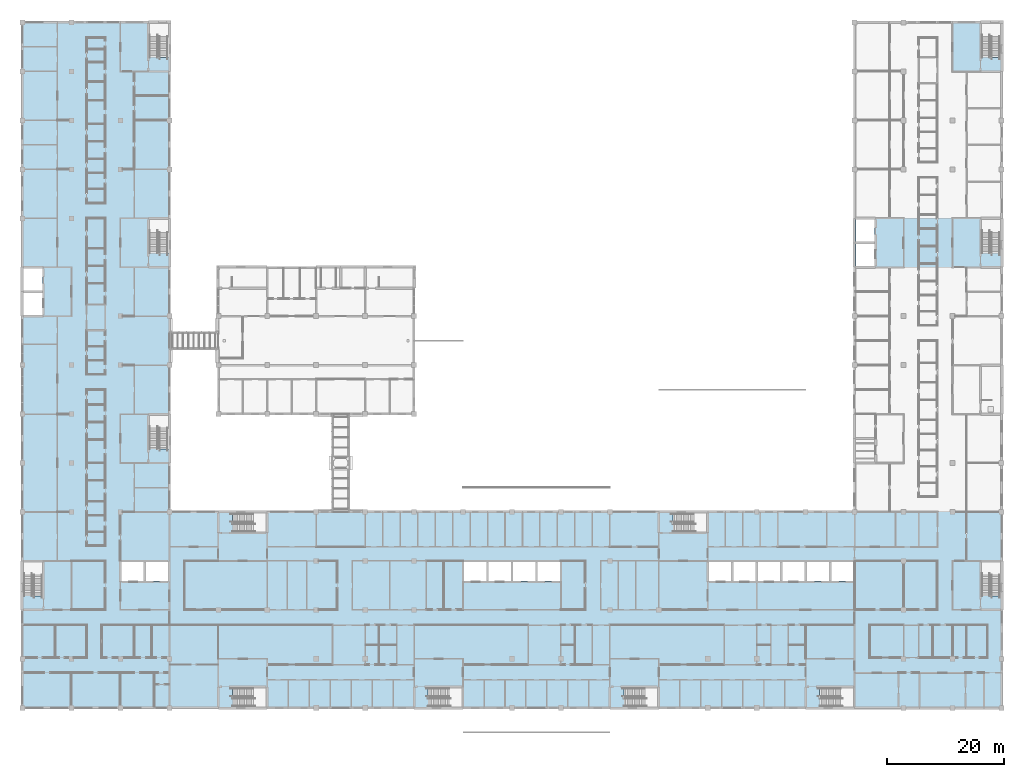
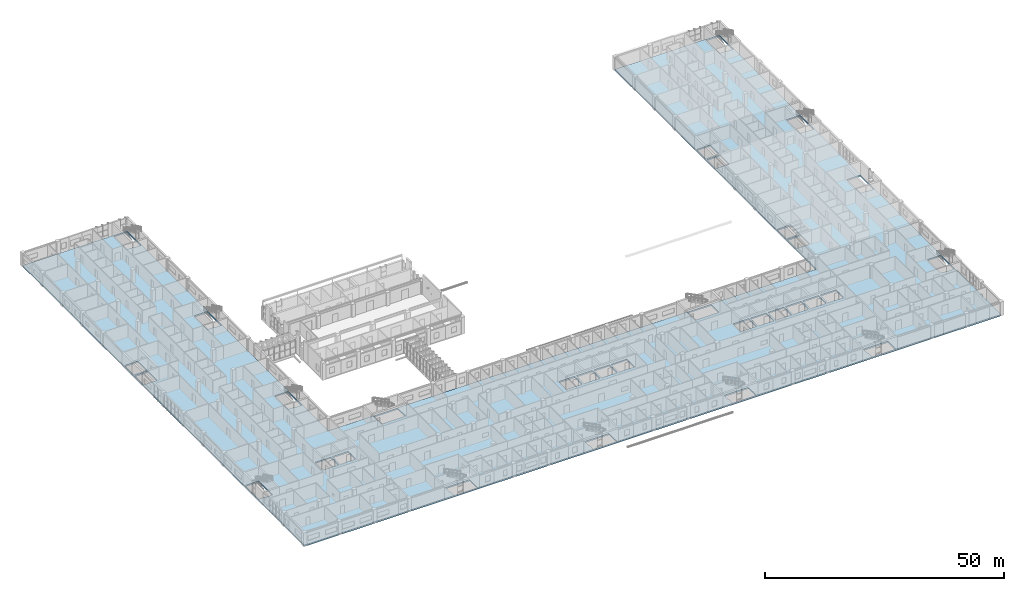
# One storey, part 45 of 94: 1 slab.
"""IFC4 building model written with IfcOpenShell, lengths in metres."""

from ifc_helpers import new_model, si_unit, direction, frame, origin, place, context, subcontext, project, spatial, polyline, outline, extrude, material, layer, layer_set, type_object, element, save


model = new_model("IFC4")

# Units and contexts
model_context = context("Model", 3, precision=1e-05, world=origin(), true_north=direction((0.0, 1.0)))
body_context = subcontext(model_context, "Body", "Model", "MODEL_VIEW")
ifc_project = project(units=[si_unit("LENGTHUNIT", "METRE"), si_unit("AREAUNIT", "SQUARE_METRE"), si_unit("VOLUMEUNIT", "CUBIC_METRE"), si_unit("PLANEANGLEUNIT", "RADIAN"), si_unit("MASSUNIT", "GRAM", prefix="KILO")], contexts=[model_context])

# Site, building, storey
site_placement = place(None, origin())
site = spatial("IfcSite", under=ifc_project, at=site_placement, CompositionType="ELEMENT")
building_placement = place(site_placement, origin())
building = spatial("IfcBuilding", under=site, at=building_placement, Name="Yavir Park General Hospital", CompositionType="ELEMENT")
storey_placement = place(building_placement, frame((0.0, 0.0, 4.5)))
storey = spatial("IfcBuildingStorey", under=building, at=storey_placement, Name="L01", CompositionType="ELEMENT", Elevation=4.5)

# Slab
ifc_material = material(Name="Concrete C35/45", Category="concrete")
ifc_layer = layer(ifc_material, 0.360107421875)
ifc_layer_set = layer_set([ifc_layer], Name="Concrete C35/45")
slab_type = type_object("IfcSlabType", Name="RC SLAB FLOOR 360", PredefinedType="FLOOR", material=ifc_layer_set)
slab_placement = place(storey_placement, frame((0.0, 0.0, -0.360107421875)))
element("IfcSlab", 1, at=slab_placement, inside=storey, type_object=slab_type, Name="S:L01:0", PredefinedType="FLOOR", context=body_context, shape_type="SweptSolid", body=[
    extrude(outline(polyline([(168.0, 117.60009765625), (142.800048828125, 117.60009765625), (142.800048828125, 33.60009765625), (25.199951171875, 33.60009765625), (25.199951171875, 117.60009765625), (0.0, 117.60009765625), (0.0, 0.0), (168.0, 0.0), (168.0, 117.60009765625)]), holes=[polyline([(88.0, 21.800048828125), (84.199951171875, 21.800048828125), (84.199951171875, 25.0), (88.0, 25.0), (88.0, 21.800048828125)]), polyline([(83.800048828125, 21.800048828125), (80.0, 21.800048828125), (80.0, 25.0), (83.800048828125, 25.0), (83.800048828125, 21.800048828125)]), polyline([(79.60009765625, 21.800048828125), (75.800048828125, 21.800048828125), (75.800048828125, 25.0), (79.60009765625, 25.0), (79.60009765625, 21.800048828125)]), polyline([(25.0, 21.800048828125), (21.199951171875, 21.800048828125), (21.199951171875, 25.0), (25.0, 25.0), (25.0, 21.800048828125)]), polyline([(17.0, 21.800048828125), (17.0, 25.0), (20.800048828125, 25.0), (20.800048828125, 21.800048828125), (17.0, 21.800048828125)]), polyline([(3.39990234375, 67.39990234375), (0.199951171875, 67.39990234375), (0.199951171875, 71.199951171875), (3.39990234375, 71.199951171875), (3.39990234375, 67.39990234375)]), polyline([(3.39990234375, 71.60009765625), (0.199951171875, 71.60009765625), (0.199951171875, 75.39990234375), (3.39990234375, 75.39990234375), (3.39990234375, 71.60009765625)]), polyline([(142.60009765625, 21.800048828125), (138.800048828125, 21.800048828125), (138.800048828125, 25.0), (142.60009765625, 25.0), (142.60009765625, 21.800048828125)]), polyline([(92.199951171875, 21.800048828125), (88.39990234375, 21.800048828125), (88.39990234375, 25.0), (92.199951171875, 25.0), (92.199951171875, 21.800048828125)]), polyline([(138.39990234375, 21.800048828125), (134.60009765625, 21.800048828125), (134.60009765625, 25.0), (138.39990234375, 25.0), (138.39990234375, 21.800048828125)]), polyline([(134.199951171875, 21.800048828125), (130.39990234375, 21.800048828125), (130.39990234375, 25.0), (134.199951171875, 25.0), (134.199951171875, 21.800048828125)]), polyline([(126.199951171875, 21.800048828125), (126.199951171875, 25.0), (130.0, 25.0), (130.0, 21.800048828125), (126.199951171875, 21.800048828125)]), polyline([(122.0, 21.800048828125), (122.0, 25.0), (125.800048828125, 25.0), (125.800048828125, 21.800048828125), (122.0, 21.800048828125)]), polyline([(121.60009765625, 21.800048828125), (117.800048828125, 21.800048828125), (117.800048828125, 25.0), (121.60009765625, 25.0), (121.60009765625, 21.800048828125)]), polyline([(146.199951171875, 42.199951171875), (143.0, 42.199951171875), (143.0, 46.0), (146.199951171875, 46.0), (146.199951171875, 42.199951171875)]), polyline([(146.199951171875, 46.39990234375), (143.0, 46.39990234375), (143.0, 50.199951171875), (146.199951171875, 50.199951171875), (146.199951171875, 46.39990234375)]), polyline([(146.199951171875, 75.800048828125), (143.0, 75.800048828125), (143.0, 79.60009765625), (146.199951171875, 79.60009765625), (146.199951171875, 75.800048828125)]), polyline([(143.0, 80.0), (143.0, 83.800048828125), (146.199951171875, 83.800048828125), (146.199951171875, 80.0), (143.0, 80.0)]), polyline([(3.39990234375, 19.201416015625), (1.64990234375, 19.201416015625), (1.64990234375, 19.3515625), (0.14990234375, 19.3515625), (0.14990234375, 25.0), (3.39990234375, 25.0), (3.39990234375, 19.201416015625)]), polyline([(41.800048828125, 0.14990234375), (36.151611328125, 0.14990234375), (36.151611328125, 1.64990234375), (36.00146484375, 1.64990234375), (36.00146484375, 3.39990234375), (41.800048828125, 3.39990234375), (41.800048828125, 0.14990234375)]), polyline([(69.75146484375, 1.64990234375), (69.6015625, 1.64990234375), (69.6015625, 3.39990234375), (75.39990234375, 3.39990234375), (75.39990234375, 0.14990234375), (69.75146484375, 0.14990234375), (69.75146484375, 1.64990234375)]), polyline([(103.201416015625, 3.39990234375), (109.0, 3.39990234375), (109.0, 0.14990234375), (103.3515625, 0.14990234375), (103.3515625, 1.64990234375), (103.201416015625, 1.64990234375), (103.201416015625, 3.39990234375)]), polyline([(142.66259765625, 0.14990234375), (136.951416015625, 0.14990234375), (136.951416015625, 1.64990234375), (136.801513671875, 1.64990234375), (136.801513671875, 3.39990234375), (142.66259765625, 3.39990234375), (142.66259765625, 0.14990234375)]), polyline([(164.60009765625, 25.0), (167.85009765625, 25.0), (167.85009765625, 19.201416015625), (166.0, 19.201416015625), (166.0, 19.3515625), (164.60009765625, 19.3515625), (164.60009765625, 25.0)]), polyline([(36.00146484375, 33.449951171875), (41.800048828125, 33.449951171875), (41.800048828125, 30.199951171875), (36.151611328125, 30.199951171875), (36.151611328125, 31.60009765625), (36.00146484375, 31.60009765625), (36.00146484375, 33.449951171875)]), polyline([(117.39990234375, 30.199951171875), (111.75146484375, 30.199951171875), (111.75146484375, 31.60009765625), (111.6015625, 31.60009765625), (111.6015625, 33.449951171875), (117.39990234375, 33.449951171875), (117.39990234375, 30.199951171875)]), polyline([(21.800048828125, 50.199951171875), (25.050048828125, 50.199951171875), (25.050048828125, 44.401611328125), (23.199951171875, 44.401611328125), (23.199951171875, 44.551513671875), (21.800048828125, 44.551513671875), (21.800048828125, 50.199951171875)]), polyline([(25.050048828125, 78.00146484375), (23.199951171875, 78.00146484375), (23.199951171875, 78.151611328125), (21.800048828125, 78.151611328125), (21.800048828125, 83.800048828125), (25.050048828125, 83.800048828125), (25.050048828125, 78.00146484375)]), polyline([(23.199951171875, 111.75146484375), (21.800048828125, 111.75146484375), (21.800048828125, 117.449951171875), (25.050048828125, 117.449951171875), (25.050048828125, 111.6015625), (23.199951171875, 111.6015625), (23.199951171875, 111.75146484375)]), polyline([(164.60009765625, 58.60009765625), (167.85009765625, 58.60009765625), (167.85009765625, 52.801513671875), (166.0, 52.801513671875), (166.0, 52.951416015625), (164.60009765625, 52.951416015625), (164.60009765625, 58.60009765625)]), polyline([(167.85009765625, 78.00146484375), (166.0, 78.00146484375), (166.0, 78.151611328125), (164.60009765625, 78.151611328125), (164.60009765625, 83.800048828125), (167.85009765625, 83.800048828125), (167.85009765625, 78.00146484375)]), polyline([(166.0, 111.75146484375), (164.60009765625, 111.75146484375), (164.60009765625, 117.449951171875), (167.85009765625, 117.449951171875), (167.85009765625, 111.6015625), (166.0, 111.6015625), (166.0, 111.75146484375)])]), origin(), (0.0, 0.0, 1.0), 0.360107421875),
])

save(model, "model.ifc")
